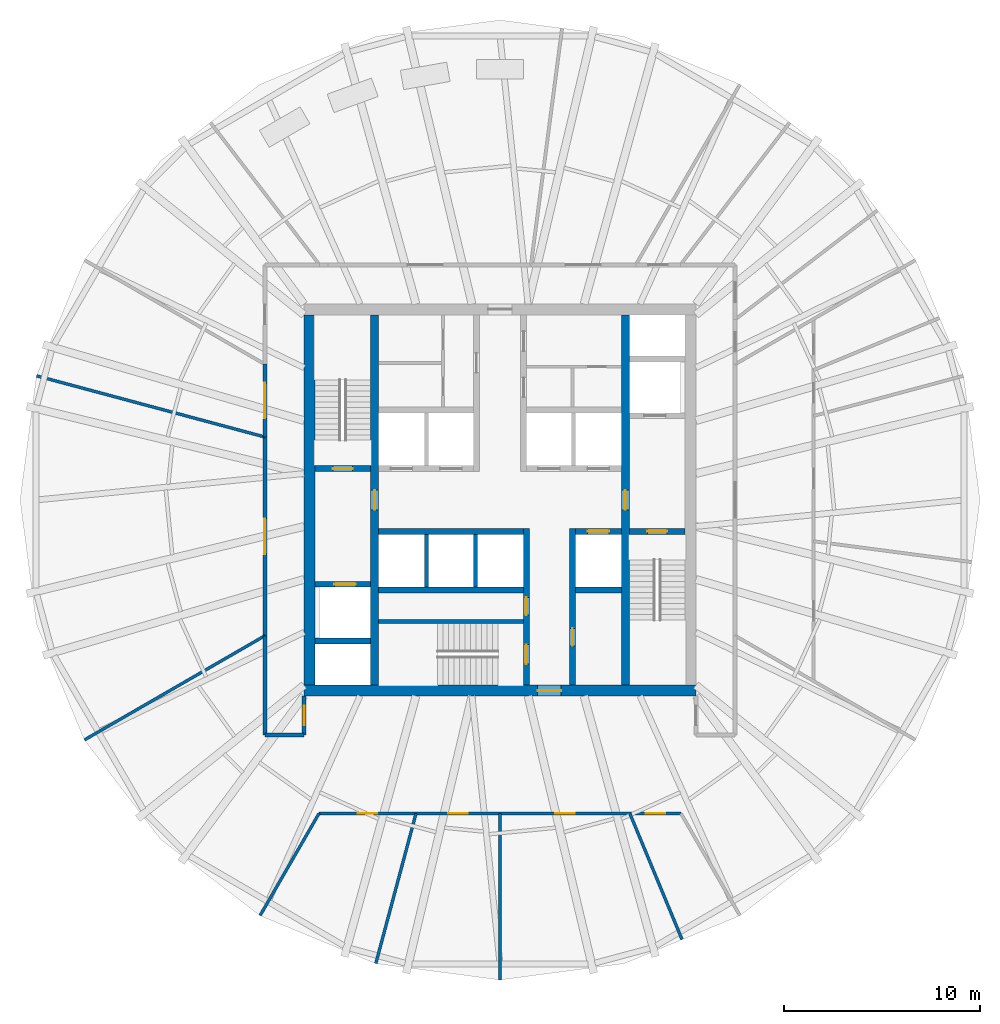
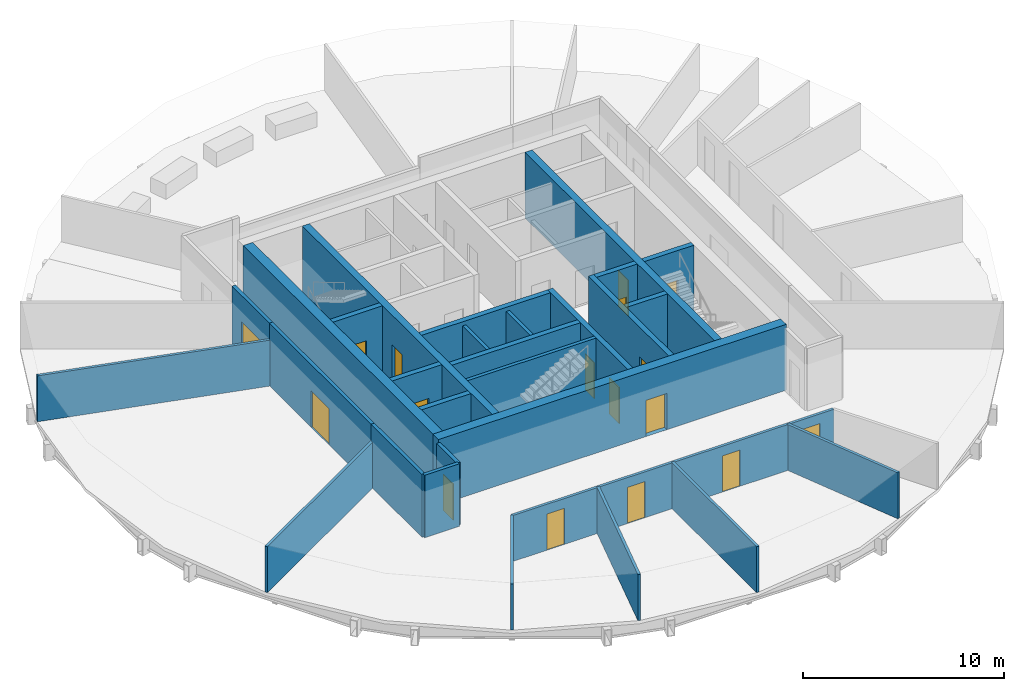
# One storey, part 3 of 7: 29 walls, 17 doors, 17 openings.
"""IFC4 building model written with IfcOpenShell, lengths in metres."""

from ifc_helpers import new_model, si_unit, direction, frame, frame_2d, origin, place, context, subcontext, project, spatial, rectangle, extrude, material, layer, layer_set, type_object, element, fill, save


model = new_model("IFC4")

# Units and contexts
model_context = context("Model", 3, precision=1e-05, world=origin(), true_north=direction((0.0, 1.0)))
body_context = subcontext(model_context, "Body", "Model", "MODEL_VIEW")
ifc_project = project(units=[si_unit("LENGTHUNIT", "METRE"), si_unit("AREAUNIT", "SQUARE_METRE"), si_unit("VOLUMEUNIT", "CUBIC_METRE"), si_unit("PLANEANGLEUNIT", "RADIAN"), si_unit("MASSUNIT", "GRAM", prefix="KILO")], contexts=[model_context])

# Site, building, storey
site_placement = place(None, origin())
site = spatial("IfcSite", under=ifc_project, at=site_placement, CompositionType="ELEMENT")
building_placement = place(site_placement, origin())
building = spatial("IfcBuilding", under=site, at=building_placement, Name="Golbaran Civic Tower", CompositionType="ELEMENT")
storey_placement = place(building_placement, frame((0.0, 0.0, 106.0)))
storey = spatial("IfcBuildingStorey", under=building, at=storey_placement, Name="L25", CompositionType="ELEMENT", Elevation=106.0)

# Wall, opening, door
ifc_material_1 = material(Name="Concrete C50/60", Category="concrete")
ifc_layer_1 = layer(ifc_material_1, 0.39990234375, Name="Concrete C50/60")
ifc_layer_set_1 = layer_set([ifc_layer_1], Name="Concrete C50/60")
wall_type_1 = type_object("IfcWallType", Name="CORE WALL CONCRETE 400", PredefinedType="SOLIDWALL", material=ifc_layer_set_1)
wall_1_placement = place(storey_placement, frame((-6.39990234375, -9.449951171875, 0.0), z_axis=(0.0, 0.0, 1.0), x_axis=(0.0, 1.0, 0.0)))
wall_1 = element("IfcWall", 1, at=wall_1_placement, inside=storey, type_object=wall_type_1, Name="Core wall IW L25", PredefinedType="SOLIDWALL", context=body_context, shape_type="SweptSolid", body=[
    extrude(rectangle(XDim=18.89990234375, YDim=0.39990234375, at=frame_2d((9.449951171875, 0.0))), origin(), (0.0, 0.0, 1.0), 4.0),
])
opening_1_placement = place(wall_1_placement, frame((8.949951171875, 0.0, 0.0)))
opening_1 = element("IfcOpeningElement", 2, at=opening_1_placement, cuts=wall_1, Name="Opening L25.FL1", PredefinedType="OPENING", context=body_context, shape_type="SweptSolid", body=[
    extrude(rectangle(XDim=1.0, YDim=2.199951171875, at=frame_2d((0.5, 1.10009765625))), frame((0.0, 0.2099609375, 0.0), z_axis=(0.0, -1.0, 0.0), x_axis=(1.0, 0.0, 0.0)), (0.0, 0.0, 1.0), 0.419921875),
])
ifc_material_2 = material(Name="Timber door set in steel frame", Category="steel")
door_type_1 = type_object("IfcDoorType", Name="STAIR DOOR 1000x2200", OperationType="SINGLE_SWING_LEFT", PredefinedType="DOOR", material=ifc_material_2)
door_1_placement = place(opening_1_placement, origin())
door_1 = element("IfcDoor", 3, at=door_1_placement, inside=storey, type_object=door_type_1, Name="Fire-fighting lobby FL1 door", OperationType="SINGLE_SWING_LEFT", OverallHeight=2.199951171875, OverallWidth=1.0, PredefinedType="DOOR", context=body_context, shape_type="SweptSolid", body=[
    extrude(rectangle(XDim=1.0, YDim=2.199951171875, at=frame_2d((0.5, 1.10009765625))), frame((0.0, 0.02490234375, 0.0), z_axis=(0.0, -1.0, 0.0), x_axis=(1.0, 0.0, 0.0)), (0.0, 0.0, 1.0), 0.050048828125),
])
fill(opening_1, door_1)

wall_2_placement = place(storey_placement, frame((6.39990234375, 9.449951171875, 0.0), z_axis=(0.0, 0.0, 1.0), x_axis=(0.0, -1.0, 0.0)))
wall_2 = element("IfcWall", 4, at=wall_2_placement, inside=storey, type_object=wall_type_1, Name="Core wall IE L25", PredefinedType="SOLIDWALL", context=body_context, shape_type="SweptSolid", body=[
    extrude(rectangle(XDim=18.89990234375, YDim=0.39990234375, at=frame_2d((9.449951171875, 0.0))), origin(), (0.0, 0.0, 1.0), 4.0),
])
opening_2_placement = place(wall_2_placement, frame((8.949951171875, 0.0, 0.0)))
opening_2 = element("IfcOpeningElement", 5, at=opening_2_placement, cuts=wall_2, Name="Opening L25.FL2", PredefinedType="OPENING", context=body_context, shape_type="SweptSolid", body=[
    extrude(rectangle(XDim=1.0, YDim=2.199951171875, at=frame_2d((0.5, 1.10009765625))), frame((0.0, 0.2099609375, 0.0), z_axis=(0.0, -1.0, 0.0), x_axis=(1.0, 0.0, 0.0)), (0.0, 0.0, 1.0), 0.419921875),
])
door_2_placement = place(opening_2_placement, origin())
door_2 = element("IfcDoor", 6, at=door_2_placement, inside=storey, type_object=door_type_1, Name="Fire-fighting lobby FL2 door", OperationType="SINGLE_SWING_RIGHT", OverallHeight=2.199951171875, OverallWidth=1.0, PredefinedType="DOOR", context=body_context, shape_type="SweptSolid", body=[
    extrude(rectangle(XDim=1.0, YDim=2.199951171875, at=frame_2d((0.5, 1.10009765625))), frame((0.0, 0.02490234375, 0.0), z_axis=(0.0, -1.0, 0.0), x_axis=(1.0, 0.0, 0.0)), (0.0, 0.0, 1.0), 0.050048828125),
])
fill(opening_2, door_2)

ifc_layer_2 = layer(ifc_material_1, 0.550048828125, Name="Concrete C50/60")
ifc_layer_set_2 = layer_set([ifc_layer_2], Name="Concrete C50/60")
wall_type_2 = type_object("IfcWallType", Name="CORE WALL CONCRETE 550", PredefinedType="SOLIDWALL", material=ifc_layer_set_2)
wall_3_placement = place(storey_placement, frame((10.0, -9.72509765625, 0.0), z_axis=(0.0, 0.0, 1.0), x_axis=(-1.0, 0.0, 0.0)))
wall_3 = element("IfcWall", 7, at=wall_3_placement, inside=storey, type_object=wall_type_2, Name="Core wall CS L25", PredefinedType="SOLIDWALL", context=body_context, shape_type="SweptSolid", body=[
    extrude(rectangle(XDim=20.0, YDim=0.550048828125, at=frame_2d((10.0, 0.0))), origin(), (0.0, 0.0, 1.0), 4.0),
])
opening_3_placement = place(wall_3_placement, frame((6.875, 0.0, 0.0)))
opening_3 = element("IfcOpeningElement", 8, at=opening_3_placement, cuts=wall_3, Name="Opening L25.CS", PredefinedType="OPENING", context=body_context, shape_type="SweptSolid", body=[
    extrude(rectangle(XDim=1.199951171875, YDim=2.199951171875, at=frame_2d((0.60009765625, 1.10009765625))), frame((0.0, 0.284912109375, 0.0), z_axis=(0.0, -1.0, 0.0), x_axis=(1.0, 0.0, 0.0)), (0.0, 0.0, 1.0), 0.570068359375),
])
door_type_2 = type_object("IfcDoorType", Name="CORE DOOR 1200x2200", OperationType="DOUBLE_DOOR_SINGLE_SWING", PredefinedType="DOOR", material=ifc_material_2)
door_3_placement = place(opening_3_placement, origin())
door_3 = element("IfcDoor", 9, at=door_3_placement, inside=storey, type_object=door_type_2, Name="Core door south", OperationType="DOUBLE_DOOR_SINGLE_SWING", OverallHeight=2.199951171875, OverallWidth=1.199951171875, PredefinedType="DOOR", context=body_context, shape_type="SweptSolid", body=[
    extrude(rectangle(XDim=1.199951171875, YDim=2.199951171875, at=frame_2d((0.60009765625, 1.10009765625))), frame((0.0, 0.02490234375, 0.0), z_axis=(0.0, -1.0, 0.0), x_axis=(1.0, 0.0, 0.0)), (0.0, 0.0, 1.0), 0.050048828125),
])
fill(opening_3, door_3)

# Wall
wall_4_placement = place(storey_placement, frame((-9.72509765625, 9.449951171875, 0.0), z_axis=(0.0, 0.0, 1.0), x_axis=(0.0, -1.0, 0.0)))
element("IfcWall", 10, at=wall_4_placement, inside=storey, type_object=wall_type_2, Name="Core wall CW L25", PredefinedType="SOLIDWALL", context=body_context, shape_type="SweptSolid", body=[
    extrude(rectangle(XDim=18.89990234375, YDim=0.550048828125, at=frame_2d((9.449951171875, 0.0))), origin(), (0.0, 0.0, 1.0), 4.0),
])

# Wall, opening, door
ifc_material_3 = material(Name="Gypsum board on steel studs, fire-rated", Category="steel")
ifc_layer_3 = layer(ifc_material_3, 0.199951171875, Name="Gypsum board on steel studs, fire-rated")
ifc_layer_set_3 = layer_set([ifc_layer_3], Name="Gypsum board on steel studs, fire-rated")
wall_type_3 = type_object("IfcWallType", Name="CORRIDOR WALL 200", PredefinedType="PARTITIONING", material=ifc_layer_set_3)
wall_5_placement = place(storey_placement, frame((-12.0, 6.92822265625, 0.0), z_axis=(0.0, 0.0, 1.0), x_axis=(0.0, -1.0, 0.0)))
wall_5 = element("IfcWall", 11, at=wall_5_placement, inside=storey, type_object=wall_type_3, Name="Corridor wall L25", PredefinedType="PARTITIONING", context=body_context, shape_type="SweptSolid", body=[
    extrude(rectangle(XDim=3.712890625, YDim=0.199951171875, at=frame_2d((1.8564453125, 0.0))), origin(), (0.0, 0.0, 1.0), 3.800048828125),
])
opening_4_placement = place(wall_5_placement, frame((0.956298828125, 0.0, 0.0)))
opening_4 = element("IfcOpeningElement", 12, at=opening_4_placement, cuts=wall_5, Name="Opening L25.17", PredefinedType="OPENING", context=body_context, shape_type="SweptSolid", body=[
    extrude(rectangle(XDim=1.800048828125, YDim=2.199951171875, at=frame_2d((0.89990234375, 1.10009765625))), frame((0.0, 0.10986328125, 0.0), z_axis=(0.0, -1.0, 0.0), x_axis=(1.0, 0.0, 0.0)), (0.0, 0.0, 1.0), 0.219970703125),
])
door_type_3 = type_object("IfcDoorType", Name="OFFICE DOUBLE DOOR 1800x2200", OperationType="DOUBLE_DOOR_SINGLE_SWING", PredefinedType="DOOR", material=ifc_material_2)
door_4_placement = place(opening_4_placement, origin())
door_4 = element("IfcDoor", 13, at=door_4_placement, inside=storey, type_object=door_type_3, Name="Open Office door L25", OperationType="DOUBLE_DOOR_SINGLE_SWING", OverallHeight=2.199951171875, OverallWidth=1.800048828125, PredefinedType="DOOR", context=body_context, shape_type="SweptSolid", body=[
    extrude(rectangle(XDim=1.800048828125, YDim=2.199951171875, at=frame_2d((0.89990234375, 1.10009765625))), frame((0.0, 0.02490234375, 0.0), z_axis=(0.0, -1.0, 0.0), x_axis=(1.0, 0.0, 0.0)), (0.0, 0.0, 1.0), 0.050048828125),
])
fill(opening_4, door_4)

wall_6_placement = place(storey_placement, frame((-12.0, 3.21533203125, 0.0), z_axis=(0.0, 0.0, 1.0), x_axis=(0.0, -1.0, 0.0)))
wall_6 = element("IfcWall", 14, at=wall_6_placement, inside=storey, type_object=wall_type_3, Name="Corridor wall L25", PredefinedType="PARTITIONING", context=body_context, shape_type="SweptSolid", body=[
    extrude(rectangle(XDim=10.1435546875, YDim=0.199951171875, at=frame_2d((5.07177734375, 0.0))), origin(), (0.0, 0.0, 1.0), 3.800048828125),
])
opening_5_placement = place(wall_6_placement, frame((4.171875, 0.0, 0.0)))
opening_5 = element("IfcOpeningElement", 15, at=opening_5_placement, cuts=wall_6, Name="Opening L25.18", PredefinedType="OPENING", context=body_context, shape_type="SweptSolid", body=[
    extrude(rectangle(XDim=1.800048828125, YDim=2.199951171875, at=frame_2d((0.89990234375, 1.10009765625))), frame((0.0, 0.10986328125, 0.0), z_axis=(0.0, -1.0, 0.0), x_axis=(1.0, 0.0, 0.0)), (0.0, 0.0, 1.0), 0.219970703125),
])
door_5_placement = place(opening_5_placement, origin())
door_5 = element("IfcDoor", 16, at=door_5_placement, inside=storey, type_object=door_type_3, Name="Open Office door L25", OperationType="DOUBLE_DOOR_SINGLE_SWING", OverallHeight=2.199951171875, OverallWidth=1.800048828125, PredefinedType="DOOR", context=body_context, shape_type="SweptSolid", body=[
    extrude(rectangle(XDim=1.800048828125, YDim=2.199951171875, at=frame_2d((0.89990234375, 1.10009765625))), frame((0.0, 0.02490234375, 0.0), z_axis=(0.0, -1.0, 0.0), x_axis=(1.0, 0.0, 0.0)), (0.0, 0.0, 1.0), 0.050048828125),
])
fill(opening_5, door_5)

# Walls
wall_7_placement = place(storey_placement, frame((-12.0, -6.92822265625, 0.0), z_axis=(0.0, 0.0, 1.0), x_axis=(0.0, -1.0, 0.0)))
element("IfcWall", 17, at=wall_7_placement, inside=storey, type_object=wall_type_3, Name="Corridor wall L25", PredefinedType="PARTITIONING", context=body_context, shape_type="SweptSolid", body=[
    extrude(rectangle(XDim=5.07177734375, YDim=0.199951171875, at=frame_2d((2.535888671875, 0.0))), origin(), (0.0, 0.0, 1.0), 3.800048828125),
])
wall_8_placement = place(storey_placement, frame((-12.0, -12.0, 0.0), z_axis=(0.0, 0.0, 1.0), x_axis=(1.0, 0.0, 0.0)))
element("IfcWall", 18, at=wall_8_placement, inside=storey, type_object=wall_type_3, Name="Corridor wall L25", PredefinedType="PARTITIONING", context=body_context, shape_type="SweptSolid", body=[
    extrude(rectangle(XDim=2.0, YDim=0.199951171875, at=frame_2d((1.0, 0.0))), origin(), (0.0, 0.0, 1.0), 3.800048828125),
])

# Wall, opening, door
wall_9_placement = place(storey_placement, frame((-10.0, -10.0, 0.0), z_axis=(0.0, 0.0, 1.0), x_axis=(0.0, -1.0, 0.0)))
wall_9 = element("IfcWall", 19, at=wall_9_placement, inside=storey, type_object=wall_type_3, Name="Corridor end wall L25", PredefinedType="PARTITIONING", context=body_context, shape_type="SweptSolid", body=[
    extrude(rectangle(XDim=2.0, YDim=0.199951171875, at=frame_2d((1.0, 0.0))), origin(), (0.0, 0.0, 1.0), 3.800048828125),
])
opening_6_placement = place(wall_9_placement, frame((0.5, 0.0, 0.0)))
opening_6 = element("IfcOpeningElement", 20, at=opening_6_placement, cuts=wall_9, Name="Opening L25.21", PredefinedType="OPENING", context=body_context, shape_type="SweptSolid", body=[
    extrude(rectangle(XDim=1.0, YDim=2.199951171875, at=frame_2d((0.5, 1.10009765625))), frame((0.0, 0.10986328125, 0.0), z_axis=(0.0, -1.0, 0.0), x_axis=(1.0, 0.0, 0.0)), (0.0, 0.0, 1.0), 0.219970703125),
])
door_type_4 = type_object("IfcDoorType", Name="OFFICE DOOR 1000x2200", OperationType="SINGLE_SWING_LEFT", PredefinedType="DOOR", material=ifc_material_2)
door_6_placement = place(opening_6_placement, origin())
door_6 = element("IfcDoor", 21, at=door_6_placement, inside=storey, type_object=door_type_4, Name="Open Office door L25", OperationType="SINGLE_SWING_RIGHT", OverallHeight=2.199951171875, OverallWidth=1.0, PredefinedType="DOOR", context=body_context, shape_type="SweptSolid", body=[
    extrude(rectangle(XDim=1.0, YDim=2.199951171875, at=frame_2d((0.5, 1.10009765625))), frame((0.0, 0.02490234375, 0.0), z_axis=(0.0, -1.0, 0.0), x_axis=(1.0, 0.0, 0.0)), (0.0, 0.0, 1.0), 0.050048828125),
])
fill(opening_6, door_6)

# Walls
ifc_material_4 = material(Name="Concrete block", Category="concrete")
ifc_layer_4 = layer(ifc_material_4, 0.199951171875, Name="Concrete block")
ifc_layer_set_4 = layer_set([ifc_layer_4], Name="Concrete block")
wall_type_4 = type_object("IfcWallType", Name="LIFT SEPARATOR WALL 200", PredefinedType="SOLIDWALL", material=ifc_layer_set_4)
for number, where, z_axis, x_axis, name in (
    (22, (-3.75, -1.75, 0.0), (0.0, 0.0, 1.0), (0.0, -1.0, 0.0), "Core partition SSW L25"),
    (23, (-1.25, -1.75, 0.0), (0.0, 0.0, 1.0), (0.0, -1.0, 0.0), "Core partition SSM L25"),
):
    element("IfcWall", number, at=place(storey_placement, frame(where, z_axis=z_axis, x_axis=x_axis)), inside=storey, type_object=wall_type_4, Name=name, PredefinedType="SOLIDWALL", context=body_context, shape_type="SweptSolid", body=[
        extrude(rectangle(XDim=2.699951171875, YDim=0.199951171875, at=frame_2d((1.35009765625, 0.0))), origin(), (0.0, 0.0, 1.0), 3.75),
    ])
ifc_material_5 = material(Name="Gypsum board on steel studs", Category="steel")
ifc_layer_5 = layer(ifc_material_5, 0.14990234375, Name="Gypsum board on steel studs")
ifc_layer_set_5 = layer_set([ifc_layer_5], Name="Gypsum board on steel studs")
wall_type_5 = type_object("IfcWallType", Name="OFFICE PARTITION 150", PredefinedType="PARTITIONING", material=ifc_layer_set_5)
wall_10_placement = place(storey_placement, frame((-12.0, 3.21533203125, 0.0), z_axis=(0.0, 0.0, 1.0), x_axis=(-0.965926913807, 0.258814986396, 0.0)))
element("IfcWall", 24, at=wall_10_placement, inside=storey, type_object=wall_type_5, Name="Partition 165 L25", PredefinedType="PARTITIONING", context=body_context, shape_type="SweptSolid", body=[
    extrude(rectangle(XDim=12.06396484375, YDim=0.14990234375, at=frame_2d((6.031982421875, 0.0))), origin(), (0.0, 0.0, 1.0), 2.7900390625),
])
wall_11_placement = place(storey_placement, frame((-12.0, -6.92822265625, 0.0), z_axis=(0.0, 0.0, 1.0), x_axis=(-0.866024197053, -0.500002090115, 0.0)))
element("IfcWall", 25, at=wall_11_placement, inside=storey, type_object=wall_type_5, Name="Partition 210 L25", PredefinedType="PARTITIONING", context=body_context, shape_type="SweptSolid", body=[
    extrude(rectangle(XDim=10.630859375, YDim=0.14990234375, at=frame_2d((5.3154296875, 0.0))), origin(), (0.0, 0.0, 1.0), 2.7900390625),
])

# Wall, openings, doors
wall_12_placement = place(storey_placement, frame((-9.237548828125, -16.0, 0.0), z_axis=(0.0, 0.0, 1.0), x_axis=(1.0, 0.0, 0.0)))
wall_12 = element("IfcWall", 26, at=wall_12_placement, inside=storey, type_object=wall_type_5, Name="Suite partition L25", PredefinedType="PARTITIONING", context=body_context, shape_type="SweptSolid", body=[
    extrude(rectangle(XDim=18.47509765625, YDim=0.14990234375, at=frame_2d((9.237548828125, 0.0))), origin(), (0.0, 0.0, 1.0), 2.7900390625),
])
opening_7_placement = place(wall_12_placement, frame((1.97509765625, 0.0, 0.0)))
opening_7 = element("IfcOpeningElement", 27, at=opening_7_placement, cuts=wall_12, Name="Opening L25.06", PredefinedType="OPENING", context=body_context, shape_type="SweptSolid", body=[
    extrude(rectangle(XDim=1.0, YDim=2.199951171875, at=frame_2d((0.5, 1.10009765625))), frame((0.0, 0.0849609375, 0.0), z_axis=(0.0, -1.0, 0.0), x_axis=(1.0, 0.0, 0.0)), (0.0, 0.0, 1.0), 0.169921875),
])
opening_8_placement = place(wall_12_placement, frame((6.593994140625, 0.0, 0.0)))
opening_8 = element("IfcOpeningElement", 28, at=opening_8_placement, cuts=wall_12, Name="Opening L25.07", PredefinedType="OPENING", context=body_context, shape_type="SweptSolid", body=[
    extrude(rectangle(XDim=1.0, YDim=2.199951171875, at=frame_2d((0.5, 1.10009765625))), frame((0.0, 0.0849609375, 0.0), z_axis=(0.0, -1.0, 0.0), x_axis=(1.0, 0.0, 0.0)), (0.0, 0.0, 1.0), 0.169921875),
])
opening_9_placement = place(wall_12_placement, frame((12.05126953125, 0.0, 0.0)))
opening_9 = element("IfcOpeningElement", 29, at=opening_9_placement, cuts=wall_12, Name="Opening L25.08", PredefinedType="OPENING", context=body_context, shape_type="SweptSolid", body=[
    extrude(rectangle(XDim=1.0, YDim=2.199951171875, at=frame_2d((0.5, 1.10009765625))), frame((0.0, 0.0849609375, 0.0), z_axis=(0.0, -1.0, 0.0), x_axis=(1.0, 0.0, 0.0)), (0.0, 0.0, 1.0), 0.169921875),
])
opening_10_placement = place(wall_12_placement, frame((16.670166015625, 0.0, 0.0)))
opening_10 = element("IfcOpeningElement", 30, at=opening_10_placement, cuts=wall_12, Name="Opening L25.09", PredefinedType="OPENING", context=body_context, shape_type="SweptSolid", body=[
    extrude(rectangle(XDim=1.0, YDim=2.199951171875, at=frame_2d((0.5, 1.10009765625))), frame((0.0, 0.0849609375, 0.0), z_axis=(0.0, -1.0, 0.0), x_axis=(1.0, 0.0, 0.0)), (0.0, 0.0, 1.0), 0.169921875),
])
door_7_placement = place(opening_7_placement, origin())
door_7 = element("IfcDoor", 31, at=door_7_placement, inside=storey, type_object=door_type_4, Name="Office door L25", OperationType="SINGLE_SWING_LEFT", OverallHeight=2.199951171875, OverallWidth=1.0, PredefinedType="DOOR", context=body_context, shape_type="SweptSolid", body=[
    extrude(rectangle(XDim=1.0, YDim=2.199951171875, at=frame_2d((0.5, 1.10009765625))), frame((0.0, 0.02490234375, 0.0), z_axis=(0.0, -1.0, 0.0), x_axis=(1.0, 0.0, 0.0)), (0.0, 0.0, 1.0), 0.050048828125),
])
fill(opening_7, door_7)
door_8_placement = place(opening_8_placement, origin())
door_8 = element("IfcDoor", 32, at=door_8_placement, inside=storey, type_object=door_type_4, Name="Office door L25", OperationType="SINGLE_SWING_LEFT", OverallHeight=2.199951171875, OverallWidth=1.0, PredefinedType="DOOR", context=body_context, shape_type="SweptSolid", body=[
    extrude(rectangle(XDim=1.0, YDim=2.199951171875, at=frame_2d((0.5, 1.10009765625))), frame((0.0, 0.02490234375, 0.0), z_axis=(0.0, -1.0, 0.0), x_axis=(1.0, 0.0, 0.0)), (0.0, 0.0, 1.0), 0.050048828125),
])
fill(opening_8, door_8)
door_9_placement = place(opening_9_placement, origin())
door_9 = element("IfcDoor", 33, at=door_9_placement, inside=storey, type_object=door_type_4, Name="Director's Office door L25", OperationType="SINGLE_SWING_RIGHT", OverallHeight=2.199951171875, OverallWidth=1.0, PredefinedType="DOOR", context=body_context, shape_type="SweptSolid", body=[
    extrude(rectangle(XDim=1.0, YDim=2.199951171875, at=frame_2d((0.5, 1.10009765625))), frame((0.0, 0.02490234375, 0.0), z_axis=(0.0, -1.0, 0.0), x_axis=(1.0, 0.0, 0.0)), (0.0, 0.0, 1.0), 0.050048828125),
])
fill(opening_9, door_9)
door_10_placement = place(opening_10_placement, origin())
door_10 = element("IfcDoor", 34, at=door_10_placement, inside=storey, type_object=door_type_4, Name="Office door L25", OperationType="SINGLE_SWING_RIGHT", OverallHeight=2.199951171875, OverallWidth=1.0, PredefinedType="DOOR", context=body_context, shape_type="SweptSolid", body=[
    extrude(rectangle(XDim=1.0, YDim=2.199951171875, at=frame_2d((0.5, 1.10009765625))), frame((0.0, 0.02490234375, 0.0), z_axis=(0.0, -1.0, 0.0), x_axis=(1.0, 0.0, 0.0)), (0.0, 0.0, 1.0), 0.050048828125),
])
fill(opening_10, door_10)

# Walls
wall_13_placement = place(storey_placement, frame((-9.237548828125, -16.0, 0.0), z_axis=(0.0, 0.0, 1.0), x_axis=(-0.500013040137, -0.866017874927, 0.0)))
element("IfcWall", 35, at=wall_13_placement, inside=storey, type_object=wall_type_5, Name="Suite side partition L25", PredefinedType="PARTITIONING", context=body_context, shape_type="SweptSolid", body=[
    extrude(rectangle(XDim=6.011962890625, YDim=0.14990234375, at=frame_2d((3.005859375, 0.0))), origin(), (0.0, 0.0, 1.0), 2.7900390625),
])
wall_14_placement = place(storey_placement, frame((-4.287109375, -16.0, 0.0), z_axis=(0.0, 0.0, 1.0), x_axis=(-0.258815152648, -0.965926869261, 0.0)))
element("IfcWall", 36, at=wall_14_placement, inside=storey, type_object=wall_type_5, Name="Partition 255 L25", PredefinedType="PARTITIONING", context=body_context, shape_type="SweptSolid", body=[
    extrude(rectangle(XDim=7.9228515625, YDim=0.14990234375, at=frame_2d((3.96142578125, 0.0))), origin(), (0.0, 0.0, 1.0), 2.7900390625),
])
wall_15_placement = place(storey_placement, frame((0.0, -16.0, 0.0), z_axis=(0.0, 0.0, 1.0), x_axis=(0.0, -1.0, 0.0)))
element("IfcWall", 37, at=wall_15_placement, inside=storey, type_object=wall_type_5, Name="Partition 270 L25", PredefinedType="PARTITIONING", context=body_context, shape_type="SweptSolid", body=[
    extrude(rectangle(XDim=8.4873046875, YDim=0.14990234375, at=frame_2d((4.24365234375, 0.0))), origin(), (0.0, 0.0, 1.0), 2.7900390625),
])
wall_16_placement = place(storey_placement, frame((6.62744140625, -16.0, 0.0), z_axis=(0.0, 0.0, 1.0), x_axis=(0.382691565496, -0.923876163616, 0.0)))
element("IfcWall", 38, at=wall_16_placement, inside=storey, type_object=wall_type_5, Name="Partition 292.5 L25", PredefinedType="PARTITIONING", context=body_context, shape_type="SweptSolid", body=[
    extrude(rectangle(XDim=6.95947265625, YDim=0.14990234375, at=frame_2d((3.479736328125, 0.0))), origin(), (0.0, 0.0, 1.0), 2.7900390625),
])
ifc_layer_6 = layer(ifc_material_1, 0.199951171875, Name="Concrete C50/60")
ifc_layer_set_6 = layer_set([ifc_layer_6], Name="Concrete C50/60")
wall_type_6 = type_object("IfcWallType", Name="SHAFT WALL CONCRETE 200", PredefinedType="SOLIDWALL", material=ifc_layer_set_6)
wall_17_placement = place(storey_placement, frame((-6.199951171875, -6.199951171875, 0.0), z_axis=(0.0, 0.0, 1.0), x_axis=(1.0, 0.0, 0.0)))
element("IfcWall", 39, at=wall_17_placement, inside=storey, type_object=wall_type_6, Name="Core wall S3N L25", PredefinedType="SOLIDWALL", context=body_context, shape_type="SweptSolid", body=[
    extrude(rectangle(XDim=7.39990234375, YDim=0.199951171875, at=frame_2d((3.699951171875, 0.0))), origin(), (0.0, 0.0, 1.0), 4.0),
])
ifc_layer_7 = layer(ifc_material_1, 0.300048828125, Name="Concrete C50/60")
ifc_layer_set_7 = layer_set([ifc_layer_7], Name="Concrete C50/60")
wall_type_7 = type_object("IfcWallType", Name="SHAFT WALL CONCRETE 300", PredefinedType="SOLIDWALL", material=ifc_layer_set_7)
wall_18_placement = place(storey_placement, frame((-6.199951171875, -1.60009765625, 0.0), z_axis=(0.0, 0.0, 1.0), x_axis=(1.0, 0.0, 0.0)))
element("IfcWall", 40, at=wall_18_placement, inside=storey, type_object=wall_type_7, Name="Core wall FSW L25", PredefinedType="SOLIDWALL", context=body_context, shape_type="SweptSolid", body=[
    extrude(rectangle(XDim=7.39990234375, YDim=0.300048828125, at=frame_2d((3.699951171875, 0.0))), origin(), (0.0, 0.0, 1.0), 4.0),
])

# Wall, opening, door
wall_19_placement = place(storey_placement, frame((3.85009765625, -1.60009765625, 0.0), z_axis=(0.0, 0.0, 1.0), x_axis=(1.0, 0.0, 0.0)))
wall_19 = element("IfcWall", 41, at=wall_19_placement, inside=storey, type_object=wall_type_7, Name="Core wall FSE L25", PredefinedType="SOLIDWALL", context=body_context, shape_type="SweptSolid", body=[
    extrude(rectangle(XDim=2.349853515625, YDim=0.300048828125, at=frame_2d((1.1748046875, 0.0))), origin(), (0.0, 0.0, 1.0), 4.0),
])
opening_11_placement = place(wall_19_placement, frame((0.625, 0.0, 0.0)))
opening_11 = element("IfcOpeningElement", 42, at=opening_11_placement, cuts=wall_19, Name="Opening L25.LD-V1", PredefinedType="OPENING", context=body_context, shape_type="SweptSolid", body=[
    extrude(rectangle(XDim=1.10009765625, YDim=2.199951171875, at=frame_2d((0.550048828125, 1.10009765625))), frame((0.0, 0.159912109375, 0.0), z_axis=(0.0, -1.0, 0.0), x_axis=(1.0, 0.0, 0.0)), (0.0, 0.0, 1.0), 0.320068359375),
])
ifc_material_6 = material(Name="Stainless steel", Category="steel")
door_type_5 = type_object("IfcDoorType", Name="LIFT LANDING DOOR 1100x2200", OperationType="SLIDING_TO_LEFT", PredefinedType="DOOR", material=ifc_material_6)
door_11_placement = place(opening_11_placement, origin())
door_11 = element("IfcDoor", 43, at=door_11_placement, inside=storey, type_object=door_type_5, Name="Lift landing door V1", OperationType="SLIDING_TO_LEFT", OverallHeight=2.199951171875, OverallWidth=1.10009765625, PredefinedType="DOOR", context=body_context, shape_type="SweptSolid", body=[
    extrude(rectangle(XDim=1.10009765625, YDim=2.199951171875, at=frame_2d((0.550048828125, 1.10009765625))), frame((0.0, 0.02490234375, 0.0), z_axis=(0.0, -1.0, 0.0), x_axis=(1.0, 0.0, 0.0)), (0.0, 0.0, 1.0), 0.050048828125),
])
fill(opening_11, door_11)

# Walls
wall_20_placement = place(storey_placement, frame((-6.199951171875, -4.60009765625, 0.0), z_axis=(0.0, 0.0, 1.0), x_axis=(1.0, 0.0, 0.0)))
element("IfcWall", 44, at=wall_20_placement, inside=storey, type_object=wall_type_7, Name="Core wall BSW L25", PredefinedType="SOLIDWALL", context=body_context, shape_type="SweptSolid", body=[
    extrude(rectangle(XDim=7.39990234375, YDim=0.300048828125, at=frame_2d((3.699951171875, 0.0))), origin(), (0.0, 0.0, 1.0), 4.0),
])
wall_21_placement = place(storey_placement, frame((3.85009765625, -4.60009765625, 0.0), z_axis=(0.0, 0.0, 1.0), x_axis=(1.0, 0.0, 0.0)))
element("IfcWall", 45, at=wall_21_placement, inside=storey, type_object=wall_type_7, Name="Core wall BSE L25", PredefinedType="SOLIDWALL", context=body_context, shape_type="SweptSolid", body=[
    extrude(rectangle(XDim=2.349853515625, YDim=0.300048828125, at=frame_2d((1.1748046875, 0.0))), origin(), (0.0, 0.0, 1.0), 4.0),
])

# Wall, openings, doors
wall_22_placement = place(storey_placement, frame((1.35009765625, -1.449951171875, 0.0), z_axis=(0.0, 0.0, 1.0), x_axis=(0.0, -1.0, 0.0)))
wall_22 = element("IfcWall", 46, at=wall_22_placement, inside=storey, type_object=wall_type_7, Name="Core wall PSW L25", PredefinedType="SOLIDWALL", context=body_context, shape_type="SweptSolid", body=[
    extrude(rectangle(XDim=8.0, YDim=0.300048828125, at=frame_2d((4.0, 0.0))), origin(), (0.0, 0.0, 1.0), 4.0),
])
opening_12_placement = place(wall_22_placement, frame((5.925048828125, 0.0, 0.0)))
opening_12 = element("IfcOpeningElement", 47, at=opening_12_placement, cuts=wall_22, Name="Opening L25.S3", PredefinedType="OPENING", context=body_context, shape_type="SweptSolid", body=[
    extrude(rectangle(XDim=1.0, YDim=2.199951171875, at=frame_2d((0.5, 1.10009765625))), frame((0.0, 0.159912109375, 0.0), z_axis=(0.0, -1.0, 0.0), x_axis=(1.0, 0.0, 0.0)), (0.0, 0.0, 1.0), 0.320068359375),
])
opening_13_placement = place(wall_22_placement, frame((3.52490234375, 0.0, 0.0)))
opening_13 = element("IfcOpeningElement", 48, at=opening_13_placement, cuts=wall_22, Name="Opening L25.RE", PredefinedType="OPENING", context=body_context, shape_type="SweptSolid", body=[
    extrude(rectangle(XDim=0.89990234375, YDim=2.199951171875, at=frame_2d((0.449951171875, 1.10009765625))), frame((0.0, 0.159912109375, 0.0), z_axis=(0.0, -1.0, 0.0), x_axis=(1.0, 0.0, 0.0)), (0.0, 0.0, 1.0), 0.320068359375),
])
door_type_6 = type_object("IfcDoorType", Name="RISER DOOR 900x2200", OperationType="SINGLE_SWING_LEFT", PredefinedType="DOOR", material=ifc_material_2)
door_12_placement = place(opening_13_placement, origin())
door_12 = element("IfcDoor", 49, at=door_12_placement, inside=storey, type_object=door_type_6, Name="Electrical riser door", OperationType="SINGLE_SWING_LEFT", OverallHeight=2.199951171875, OverallWidth=0.89990234375, PredefinedType="DOOR", context=body_context, shape_type="SweptSolid", body=[
    extrude(rectangle(XDim=0.89990234375, YDim=2.199951171875, at=frame_2d((0.449951171875, 1.10009765625))), frame((0.0, 0.02490234375, 0.0), z_axis=(0.0, -1.0, 0.0), x_axis=(1.0, 0.0, 0.0)), (0.0, 0.0, 1.0), 0.050048828125),
])
fill(opening_13, door_12)
door_13_placement = place(opening_12_placement, origin())
door_13 = element("IfcDoor", 50, at=door_13_placement, inside=storey, type_object=door_type_1, Name="Stair S3 door", OperationType="SINGLE_SWING_RIGHT", OverallHeight=2.199951171875, OverallWidth=1.0, PredefinedType="DOOR", context=body_context, shape_type="SweptSolid", body=[
    extrude(rectangle(XDim=1.0, YDim=2.199951171875, at=frame_2d((0.5, 1.10009765625))), frame((0.0, 0.02490234375, 0.0), z_axis=(0.0, -1.0, 0.0), x_axis=(1.0, 0.0, 0.0)), (0.0, 0.0, 1.0), 0.050048828125),
])
fill(opening_12, door_13)

# Wall, opening, door
wall_23_placement = place(storey_placement, frame((3.699951171875, -1.449951171875, 0.0), z_axis=(0.0, 0.0, 1.0), x_axis=(0.0, -1.0, 0.0)))
wall_23 = element("IfcWall", 51, at=wall_23_placement, inside=storey, type_object=wall_type_7, Name="Core wall PSE L25", PredefinedType="SOLIDWALL", context=body_context, shape_type="SweptSolid", body=[
    extrude(rectangle(XDim=8.0, YDim=0.300048828125, at=frame_2d((4.0, 0.0))), origin(), (0.0, 0.0, 1.0), 4.0),
])
opening_14_placement = place(wall_23_placement, frame((5.10009765625, 0.0, 0.0)))
opening_14 = element("IfcOpeningElement", 52, at=opening_14_placement, cuts=wall_23, Name="Opening L25.RM", PredefinedType="OPENING", context=body_context, shape_type="SweptSolid", body=[
    extrude(rectangle(XDim=0.89990234375, YDim=2.199951171875, at=frame_2d((0.449951171875, 1.10009765625))), frame((0.0, 0.159912109375, 0.0), z_axis=(0.0, -1.0, 0.0), x_axis=(1.0, 0.0, 0.0)), (0.0, 0.0, 1.0), 0.320068359375),
])
door_14_placement = place(opening_14_placement, origin())
door_14 = element("IfcDoor", 53, at=door_14_placement, inside=storey, type_object=door_type_6, Name="Mechanical riser door", OperationType="SINGLE_SWING_RIGHT", OverallHeight=2.199951171875, OverallWidth=0.89990234375, PredefinedType="DOOR", context=body_context, shape_type="SweptSolid", body=[
    extrude(rectangle(XDim=0.89990234375, YDim=2.199951171875, at=frame_2d((0.449951171875, 1.10009765625))), frame((0.0, 0.02490234375, 0.0), z_axis=(0.0, -1.0, 0.0), x_axis=(1.0, 0.0, 0.0)), (0.0, 0.0, 1.0), 0.050048828125),
])
fill(opening_14, door_14)

wall_24_placement = place(storey_placement, frame((-9.449951171875, 1.60009765625, 0.0), z_axis=(0.0, 0.0, 1.0), x_axis=(1.0, 0.0, 0.0)))
wall_24 = element("IfcWall", 54, at=wall_24_placement, inside=storey, type_object=wall_type_7, Name="Core wall XW1 L25", PredefinedType="SOLIDWALL", context=body_context, shape_type="SweptSolid", body=[
    extrude(rectangle(XDim=2.849853515625, YDim=0.300048828125, at=frame_2d((1.4248046875, 0.0))), origin(), (0.0, 0.0, 1.0), 4.0),
])
opening_15_placement = place(wall_24_placement, frame((0.925048828125, 0.0, 0.0)))
opening_15 = element("IfcOpeningElement", 55, at=opening_15_placement, cuts=wall_24, Name="Opening L25.S1", PredefinedType="OPENING", context=body_context, shape_type="SweptSolid", body=[
    extrude(rectangle(XDim=1.0, YDim=2.199951171875, at=frame_2d((0.5, 1.10009765625))), frame((0.0, 0.159912109375, 0.0), z_axis=(0.0, -1.0, 0.0), x_axis=(1.0, 0.0, 0.0)), (0.0, 0.0, 1.0), 0.320068359375),
])
door_15_placement = place(opening_15_placement, origin())
door_15 = element("IfcDoor", 56, at=door_15_placement, inside=storey, type_object=door_type_1, Name="Stair S1 door", OperationType="SINGLE_SWING_LEFT", OverallHeight=2.199951171875, OverallWidth=1.0, PredefinedType="DOOR", context=body_context, shape_type="SweptSolid", body=[
    extrude(rectangle(XDim=1.0, YDim=2.199951171875, at=frame_2d((0.5, 1.10009765625))), frame((0.0, 0.02490234375, 0.0), z_axis=(0.0, -1.0, 0.0), x_axis=(1.0, 0.0, 0.0)), (0.0, 0.0, 1.0), 0.050048828125),
])
fill(opening_15, door_15)

wall_25_placement = place(storey_placement, frame((6.60009765625, -1.60009765625, 0.0), z_axis=(0.0, 0.0, 1.0), x_axis=(1.0, 0.0, 0.0)))
wall_25 = element("IfcWall", 57, at=wall_25_placement, inside=storey, type_object=wall_type_7, Name="Core wall XE1 L25", PredefinedType="SOLIDWALL", context=body_context, shape_type="SweptSolid", body=[
    extrude(rectangle(XDim=2.849853515625, YDim=0.300048828125, at=frame_2d((1.4248046875, 0.0))), origin(), (0.0, 0.0, 1.0), 4.0),
])
opening_16_placement = place(wall_25_placement, frame((0.925048828125, 0.0, 0.0)))
opening_16 = element("IfcOpeningElement", 58, at=opening_16_placement, cuts=wall_25, Name="Opening L25.S2", PredefinedType="OPENING", context=body_context, shape_type="SweptSolid", body=[
    extrude(rectangle(XDim=1.0, YDim=2.199951171875, at=frame_2d((0.5, 1.10009765625))), frame((0.0, 0.159912109375, 0.0), z_axis=(0.0, -1.0, 0.0), x_axis=(1.0, 0.0, 0.0)), (0.0, 0.0, 1.0), 0.320068359375),
])
door_16_placement = place(opening_16_placement, origin())
door_16 = element("IfcDoor", 59, at=door_16_placement, inside=storey, type_object=door_type_1, Name="Stair S2 door", OperationType="SINGLE_SWING_LEFT", OverallHeight=2.199951171875, OverallWidth=1.0, PredefinedType="DOOR", context=body_context, shape_type="SweptSolid", body=[
    extrude(rectangle(XDim=1.0, YDim=2.199951171875, at=frame_2d((0.5, 1.10009765625))), frame((0.0, 0.02490234375, 0.0), z_axis=(0.0, -1.0, 0.0), x_axis=(1.0, 0.0, 0.0)), (0.0, 0.0, 1.0), 0.050048828125),
])
fill(opening_16, door_16)

wall_26_placement = place(storey_placement, frame((-9.449951171875, -4.300048828125, 0.0), z_axis=(0.0, 0.0, 1.0), x_axis=(1.0, 0.0, 0.0)))
wall_26 = element("IfcWall", 60, at=wall_26_placement, inside=storey, type_object=wall_type_7, Name="Core wall XW2 L25", PredefinedType="SOLIDWALL", context=body_context, shape_type="SweptSolid", body=[
    extrude(rectangle(XDim=2.849853515625, YDim=0.300048828125, at=frame_2d((1.4248046875, 0.0))), origin(), (0.0, 0.0, 1.0), 4.0),
])
opening_17_placement = place(wall_26_placement, frame((1.0, 0.0, 0.0)))
opening_17 = element("IfcOpeningElement", 61, at=opening_17_placement, cuts=wall_26, Name="Opening L25.LD-F1", PredefinedType="OPENING", context=body_context, shape_type="SweptSolid", body=[
    extrude(rectangle(XDim=1.10009765625, YDim=2.199951171875, at=frame_2d((0.550048828125, 1.10009765625))), frame((0.0, 0.159912109375, 0.0), z_axis=(0.0, -1.0, 0.0), x_axis=(1.0, 0.0, 0.0)), (0.0, 0.0, 1.0), 0.320068359375),
])
door_17_placement = place(opening_17_placement, origin())
door_17 = element("IfcDoor", 62, at=door_17_placement, inside=storey, type_object=door_type_5, Name="Lift landing door F1", OperationType="SLIDING_TO_LEFT", OverallHeight=2.199951171875, OverallWidth=1.10009765625, PredefinedType="DOOR", context=body_context, shape_type="SweptSolid", body=[
    extrude(rectangle(XDim=1.10009765625, YDim=2.199951171875, at=frame_2d((0.550048828125, 1.10009765625))), frame((0.0, 0.02490234375, 0.0), z_axis=(0.0, -1.0, 0.0), x_axis=(1.0, 0.0, 0.0)), (0.0, 0.0, 1.0), 0.050048828125),
])
fill(opening_17, door_17)

# Wall
wall_27_placement = place(storey_placement, frame((-9.449951171875, -7.199951171875, 0.0), z_axis=(0.0, 0.0, 1.0), x_axis=(1.0, 0.0, 0.0)))
element("IfcWall", 63, at=wall_27_placement, inside=storey, type_object=wall_type_7, Name="Core wall XW3 L25", PredefinedType="SOLIDWALL", context=body_context, shape_type="SweptSolid", body=[
    extrude(rectangle(XDim=2.849853515625, YDim=0.300048828125, at=frame_2d((1.4248046875, 0.0))), origin(), (0.0, 0.0, 1.0), 4.0),
])

save(model, "model.ifc")
